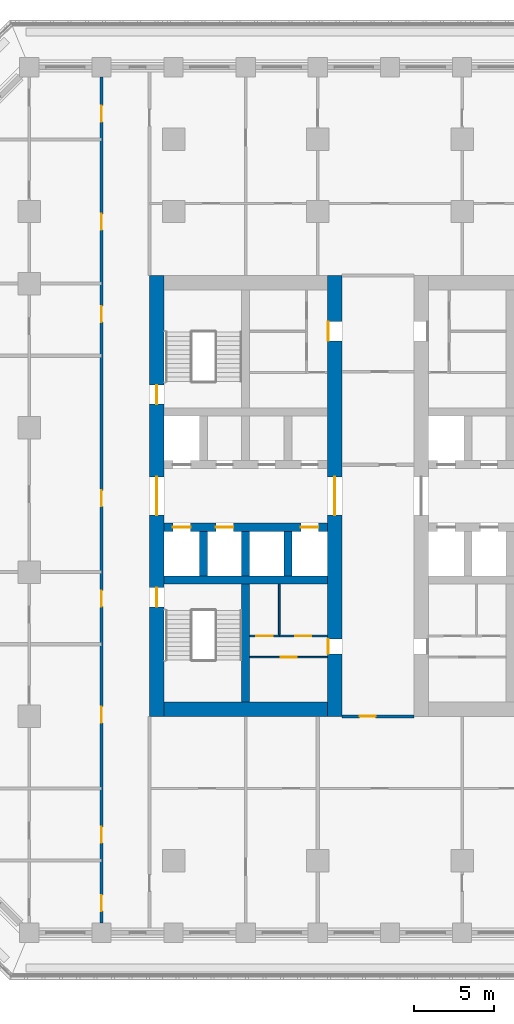
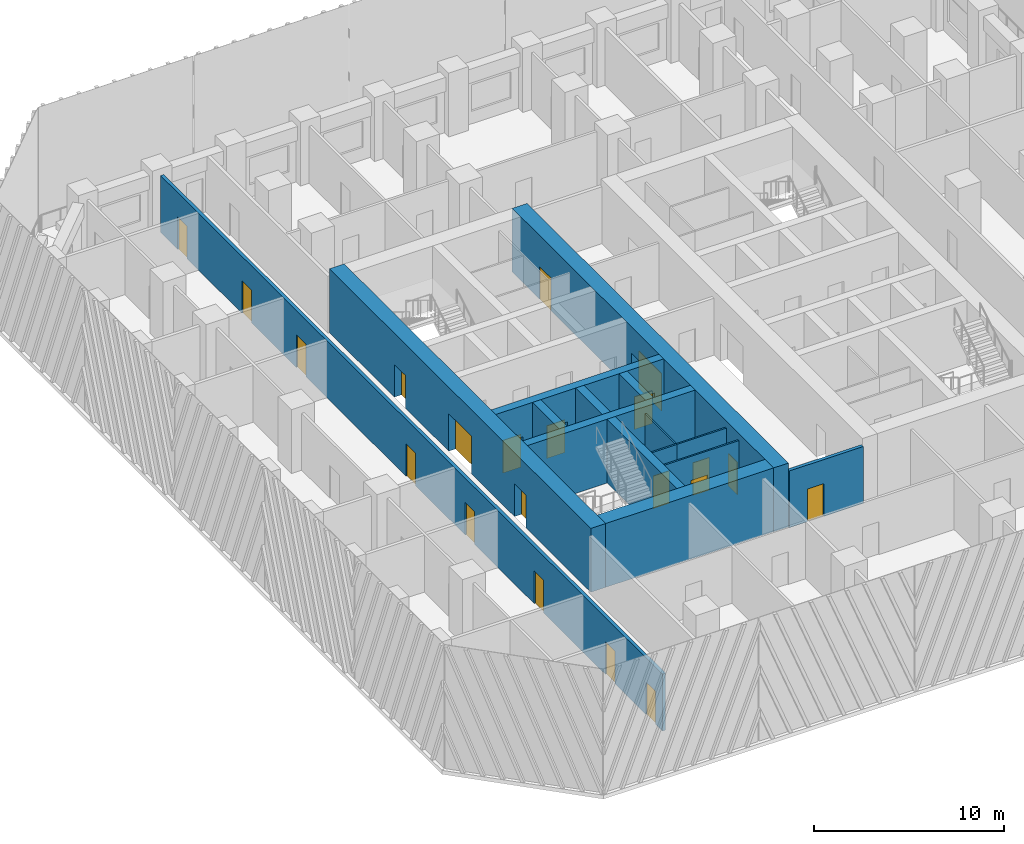
# One storey, part 4 of 20: 21 doors, 15 walls, 21 openings.
"""IFC4 building model written with IfcOpenShell, lengths in metres."""

from ifc_helpers import new_model, si_unit, direction, frame, frame_2d, origin, place, context, subcontext, project, spatial, rectangle, extrude, material, layer, layer_set, type_object, element, fill, save


model = new_model("IFC4")

# Units and contexts
model_context = context("Model", 3, precision=1e-05, world=origin(), true_north=direction((0.0, 1.0)))
body_context = subcontext(model_context, "Body", "Model", "MODEL_VIEW")
ifc_project = project(units=[si_unit("LENGTHUNIT", "METRE"), si_unit("AREAUNIT", "SQUARE_METRE"), si_unit("VOLUMEUNIT", "CUBIC_METRE"), si_unit("PLANEANGLEUNIT", "RADIAN"), si_unit("MASSUNIT", "GRAM", prefix="KILO")], contexts=[model_context])

# Site, building, storey
site_placement = place(None, origin())
site = spatial("IfcSite", under=ifc_project, at=site_placement, CompositionType="ELEMENT")
building_placement = place(site_placement, origin())
building = spatial("IfcBuilding", under=site, at=building_placement, Name="Corbel Stack Research Tower", CompositionType="ELEMENT")
storey_placement = place(building_placement, frame((0.0, 0.0, 98.39990234375)))
storey = spatial("IfcBuildingStorey", under=building, at=storey_placement, Name="L22", CompositionType="ELEMENT", Elevation=98.39990234375)

# Wall
ifc_material_1 = material(Name="Concrete C70/85", Category="concrete")
ifc_layer_1 = layer(ifc_material_1, 0.5)
ifc_layer_set_1 = layer_set([ifc_layer_1], Name="Concrete C70/85")
wall_type_1 = type_object("IfcWallType", Name="CW-500-70", PredefinedType="SHEAR", material=ifc_layer_set_1)
wall_1_placement = place(storey_placement, frame((-9.60009765625, -0.5, 0.0), z_axis=(0.0, 0.0, 1.0), x_axis=(1.0, 0.0, 0.0)))
element("IfcWall", 1, at=wall_1_placement, inside=storey, type_object=wall_type_1, Name="West core wall, south row back L22", PredefinedType="SHEAR", context=body_context, shape_type="SweptSolid", body=[
    extrude(rectangle(XDim=10.2001953125, YDim=0.5, at=frame_2d((5.10009765625, 0.0))), origin(), (0.0, 0.0, 1.0), 4.10009765625),
])

# Wall, openings, doors
wall_2_placement = place(storey_placement, frame((-9.60009765625, 2.800048828125, 0.0), z_axis=(0.0, 0.0, 1.0), x_axis=(1.0, 0.0, 0.0)))
wall_2 = element("IfcWall", 2, at=wall_2_placement, inside=storey, type_object=wall_type_1, Name="West core wall, lobby south L22", PredefinedType="SHEAR", context=body_context, shape_type="SweptSolid", body=[
    extrude(rectangle(XDim=10.2001953125, YDim=0.5, at=frame_2d((5.10009765625, 0.0))), origin(), (0.0, 0.0, 1.0), 4.10009765625),
])
opening_1_placement = place(wall_2_placement, frame((0.5625, 0.0, 0.0)))
opening_1 = element("IfcOpeningElement", 3, at=opening_1_placement, cuts=wall_2, Name="Opening LD-FS1", PredefinedType="OPENING", context=body_context, shape_type="SweptSolid", body=[
    extrude(rectangle(XDim=1.10009765625, YDim=2.10009765625, at=frame_2d((0.550048828125, 1.050048828125))), frame((0.0, 0.260009765625, 0.0), z_axis=(0.0, -1.0, 0.0), x_axis=(1.0, 0.0, 0.0)), (0.0, 0.0, 1.0), 0.52001953125),
])
opening_2_placement = place(wall_2_placement, frame((3.237548828125, 0.0, 0.0)))
opening_2 = element("IfcOpeningElement", 4, at=opening_2_placement, cuts=wall_2, Name="Opening LD-GL1", PredefinedType="OPENING", context=body_context, shape_type="SweptSolid", body=[
    extrude(rectangle(XDim=1.10009765625, YDim=2.10009765625, at=frame_2d((0.550048828125, 1.050048828125))), frame((0.0, 0.260009765625, 0.0), z_axis=(0.0, -1.0, 0.0), x_axis=(1.0, 0.0, 0.0)), (0.0, 0.0, 1.0), 0.52001953125),
])
opening_3_placement = place(wall_2_placement, frame((8.53759765625, 0.0, 0.0)))
opening_3 = element("IfcOpeningElement", 5, at=opening_3_placement, cuts=wall_2, Name="Opening LD-LR1", PredefinedType="OPENING", context=body_context, shape_type="SweptSolid", body=[
    extrude(rectangle(XDim=1.10009765625, YDim=2.10009765625, at=frame_2d((0.550048828125, 1.050048828125))), frame((0.0, 0.260009765625, 0.0), z_axis=(0.0, -1.0, 0.0), x_axis=(1.0, 0.0, 0.0)), (0.0, 0.0, 1.0), 0.52001953125),
])
ifc_material_2 = material(Name="Stainless steel landing door", Category="steel")
door_type_1 = type_object("IfcDoorType", Name="Lift landing door 1100 x 2100", OperationType="DOUBLE_DOOR_SLIDING", PredefinedType="DOOR", material=ifc_material_2)
door_1_placement = place(opening_1_placement, origin())
door_1 = element("IfcDoor", 6, at=door_1_placement, inside=storey, type_object=door_type_1, Name="Landing door FS1", OperationType="DOUBLE_DOOR_SLIDING", OverallHeight=2.10009765625, OverallWidth=1.10009765625, PredefinedType="DOOR", context=body_context, shape_type="SweptSolid", body=[
    extrude(rectangle(XDim=1.10009765625, YDim=2.10009765625, at=frame_2d((0.550048828125, 1.050048828125))), frame((0.0, 0.02490234375, 0.0), z_axis=(0.0, -1.0, 0.0), x_axis=(1.0, 0.0, 0.0)), (0.0, 0.0, 1.0), 0.050048828125),
])
fill(opening_1, door_1)
door_2_placement = place(opening_2_placement, origin())
door_2 = element("IfcDoor", 7, at=door_2_placement, inside=storey, type_object=door_type_1, Name="Landing door GL1", OperationType="DOUBLE_DOOR_SLIDING", OverallHeight=2.10009765625, OverallWidth=1.10009765625, PredefinedType="DOOR", context=body_context, shape_type="SweptSolid", body=[
    extrude(rectangle(XDim=1.10009765625, YDim=2.10009765625, at=frame_2d((0.550048828125, 1.050048828125))), frame((0.0, 0.02490234375, 0.0), z_axis=(0.0, -1.0, 0.0), x_axis=(1.0, 0.0, 0.0)), (0.0, 0.0, 1.0), 0.050048828125),
])
fill(opening_2, door_2)
door_3_placement = place(opening_3_placement, origin())
door_3 = element("IfcDoor", 8, at=door_3_placement, inside=storey, type_object=door_type_1, Name="Landing door LR1", OperationType="DOUBLE_DOOR_SLIDING", OverallHeight=2.10009765625, OverallWidth=1.10009765625, PredefinedType="DOOR", context=body_context, shape_type="SweptSolid", body=[
    extrude(rectangle(XDim=1.10009765625, YDim=2.10009765625, at=frame_2d((0.550048828125, 1.050048828125))), frame((0.0, 0.02490234375, 0.0), z_axis=(0.0, -1.0, 0.0), x_axis=(1.0, 0.0, 0.0)), (0.0, 0.0, 1.0), 0.050048828125),
])
fill(opening_3, door_3)

# Walls
for number, where, z_axis, x_axis, name in (
    (9, (-7.125, -0.25, 0.0), (0.0, 0.0, 1.0), (0.0, 1.0, 0.0), "West core wall, south shaft 1 L22"),
    (10, (-4.5, -0.25, 0.0), (0.0, 0.0, 1.0), (0.0, 1.0, 0.0), "West core wall, south shaft 2 L22"),
    (11, (-1.875, -0.25, 0.0), (0.0, 0.0, 1.0), (0.0, 1.0, 0.0), "West core wall, south shaft 3 L22"),
):
    element("IfcWall", number, at=place(storey_placement, frame(where, z_axis=z_axis, x_axis=x_axis)), inside=storey, type_object=wall_type_1, Name=name, PredefinedType="SHEAR", context=body_context, shape_type="SweptSolid", body=[
        extrude(rectangle(XDim=2.800048828125, YDim=0.5, at=frame_2d((1.39990234375, 0.0))), origin(), (0.0, 0.0, 1.0), 4.10009765625),
    ])
wall_3_placement = place(storey_placement, frame((-4.5, -8.10009765625, 0.0), z_axis=(0.0, 0.0, 1.0), x_axis=(0.0, 1.0, 0.0)))
element("IfcWall", 12, at=wall_3_placement, inside=storey, type_object=wall_type_1, Name="West core wall, south stair and WC L22", PredefinedType="SHEAR", context=body_context, shape_type="SweptSolid", body=[
    extrude(rectangle(XDim=7.35009765625, YDim=0.5, at=frame_2d((3.675048828125, 0.0))), origin(), (0.0, 0.0, 1.0), 4.10009765625),
])

# Wall, openings, doors
ifc_material_3 = material(Name="Concrete C70/85", Category="concrete")
ifc_layer_2 = layer(ifc_material_3, 0.89990234375)
ifc_layer_set_2 = layer_set([ifc_layer_2], Name="Concrete C70/85")
wall_type_2 = type_object("IfcWallType", Name="CW-900-70", PredefinedType="SHEAR", material=ifc_layer_set_2)
wall_4_placement = place(storey_placement, frame((-10.050048828125, -9.0, 0.0), z_axis=(0.0, 0.0, 1.0), x_axis=(0.0, 1.0, 0.0)))
wall_4 = element("IfcWall", 13, at=wall_4_placement, inside=storey, type_object=wall_type_2, Name="West core wall, west face L22", PredefinedType="SHEAR", context=body_context, shape_type="SweptSolid", body=[
    extrude(rectangle(XDim=27.5, YDim=0.89990234375, at=frame_2d((13.75, 0.0))), origin(), (0.0, 0.0, 1.0), 4.10009765625),
])
opening_4_placement = place(wall_4_placement, frame((12.550048828125, 0.0, 0.0)))
opening_4 = element("IfcOpeningElement", 14, at=opening_4_placement, cuts=wall_4, Name="Opening CD-W-W", PredefinedType="OPENING", context=body_context, shape_type="SweptSolid", body=[
    extrude(rectangle(XDim=2.39990234375, YDim=2.39990234375, at=frame_2d((1.199951171875, 1.199951171875))), frame((0.0, 0.4599609375, 0.0), z_axis=(0.0, -1.0, 0.0), x_axis=(1.0, 0.0, 0.0)), (0.0, 0.0, 1.0), 0.919921875),
])
opening_5_placement = place(wall_4_placement, frame((6.824951171875, 0.0, 0.0)))
opening_5 = element("IfcOpeningElement", 15, at=opening_5_placement, cuts=wall_4, Name="Opening SD-ST-W1", PredefinedType="OPENING", context=body_context, shape_type="SweptSolid", body=[
    extrude(rectangle(XDim=1.199951171875, YDim=2.10009765625, at=frame_2d((0.60009765625, 1.050048828125))), frame((0.0, 0.4599609375, 0.0), z_axis=(0.0, -1.0, 0.0), x_axis=(1.0, 0.0, 0.0)), (0.0, 0.0, 1.0), 0.919921875),
])
opening_6_placement = place(wall_4_placement, frame((19.47509765625, 0.0, 0.0)))
opening_6 = element("IfcOpeningElement", 16, at=opening_6_placement, cuts=wall_4, Name="Opening SD-ST-W2", PredefinedType="OPENING", context=body_context, shape_type="SweptSolid", body=[
    extrude(rectangle(XDim=1.199951171875, YDim=2.10009765625, at=frame_2d((0.60009765625, 1.050048828125))), frame((0.0, 0.4599609375, 0.0), z_axis=(0.0, -1.0, 0.0), x_axis=(1.0, 0.0, 0.0)), (0.0, 0.0, 1.0), 0.919921875),
])
ifc_material_4 = material(Name="Painted steel fire door", Category="steel")
door_type_2 = type_object("IfcDoorType", Name="Lobby door pair 2400 x 2400 FD30S", OperationType="DOUBLE_DOOR_DOUBLE_SWING", PredefinedType="DOOR", material=ifc_material_4)
door_4_placement = place(opening_4_placement, origin())
door_4 = element("IfcDoor", 17, at=door_4_placement, inside=storey, type_object=door_type_2, Name="Lift lobby door W core W", OperationType="DOUBLE_DOOR_DOUBLE_SWING", OverallHeight=2.39990234375, OverallWidth=2.39990234375, PredefinedType="DOOR", context=body_context, shape_type="SweptSolid", body=[
    extrude(rectangle(XDim=2.39990234375, YDim=2.39990234375, at=frame_2d((1.199951171875, 1.199951171875))), frame((0.0, 0.02490234375, 0.0), z_axis=(0.0, -1.0, 0.0), x_axis=(1.0, 0.0, 0.0)), (0.0, 0.0, 1.0), 0.050048828125),
])
fill(opening_4, door_4)
ifc_material_5 = material(Name="Painted steel fire door", Category="steel")
door_type_3 = type_object("IfcDoorType", Name="Stair door 1200 x 2100 FD90 left hand", OperationType="SINGLE_SWING_LEFT", PredefinedType="DOOR", material=ifc_material_5)
door_5_placement = place(opening_5_placement, origin())
door_5 = element("IfcDoor", 18, at=door_5_placement, inside=storey, type_object=door_type_3, Name="Stair door ST-W1", OperationType="SINGLE_SWING_LEFT", OverallHeight=2.10009765625, OverallWidth=1.199951171875, PredefinedType="DOOR", context=body_context, shape_type="SweptSolid", body=[
    extrude(rectangle(XDim=1.199951171875, YDim=2.10009765625, at=frame_2d((0.60009765625, 1.050048828125))), frame((0.0, 0.02490234375, 0.0), z_axis=(0.0, -1.0, 0.0), x_axis=(1.0, 0.0, 0.0)), (0.0, 0.0, 1.0), 0.050048828125),
])
fill(opening_5, door_5)
door_6_placement = place(opening_6_placement, origin())
door_6 = element("IfcDoor", 19, at=door_6_placement, inside=storey, type_object=door_type_3, Name="Stair door ST-W2", OperationType="SINGLE_SWING_LEFT", OverallHeight=2.10009765625, OverallWidth=1.199951171875, PredefinedType="DOOR", context=body_context, shape_type="SweptSolid", body=[
    extrude(rectangle(XDim=1.199951171875, YDim=2.10009765625, at=frame_2d((0.60009765625, 1.050048828125))), frame((0.0, 0.02490234375, 0.0), z_axis=(0.0, -1.0, 0.0), x_axis=(1.0, 0.0, 0.0)), (0.0, 0.0, 1.0), 0.050048828125),
])
fill(opening_6, door_6)

wall_5_placement = place(storey_placement, frame((1.050048828125, -9.0, 0.0), z_axis=(0.0, 0.0, 1.0), x_axis=(0.0, 1.0, 0.0)))
wall_5 = element("IfcWall", 20, at=wall_5_placement, inside=storey, type_object=wall_type_2, Name="West core wall, east face L22", PredefinedType="SHEAR", context=body_context, shape_type="SweptSolid", body=[
    extrude(rectangle(XDim=27.5, YDim=0.89990234375, at=frame_2d((13.75, 0.0))), origin(), (0.0, 0.0, 1.0), 4.10009765625),
])
opening_7_placement = place(wall_5_placement, frame((12.550048828125, 0.0, 0.0)))
opening_7 = element("IfcOpeningElement", 21, at=opening_7_placement, cuts=wall_5, Name="Opening CD-W-E", PredefinedType="OPENING", context=body_context, shape_type="SweptSolid", body=[
    extrude(rectangle(XDim=2.39990234375, YDim=2.39990234375, at=frame_2d((1.199951171875, 1.199951171875))), frame((0.0, 0.4599609375, 0.0), z_axis=(0.0, -1.0, 0.0), x_axis=(1.0, 0.0, 0.0)), (0.0, 0.0, 1.0), 0.919921875),
])
opening_8_placement = place(wall_5_placement, frame((3.89306640625, 0.0, 0.0)))
opening_8 = element("IfcOpeningElement", 22, at=opening_8_placement, cuts=wall_5, Name="Opening CR-W24-W1-923", PredefinedType="OPENING", context=body_context, shape_type="SweptSolid", body=[
    extrude(rectangle(XDim=0.923095703125, YDim=2.10009765625, at=frame_2d((0.46142578125, 1.050048828125))), frame((0.0, 0.4599609375, 0.0), z_axis=(0.0, -1.0, 0.0), x_axis=(1.0, 0.0, 0.0)), (0.0, 0.0, 1.0), 0.919921875),
])
opening_9_placement = place(wall_5_placement, frame((23.427490234375, 0.0, 0.0)))
opening_9 = element("IfcOpeningElement", 23, at=opening_9_placement, cuts=wall_5, Name="Opening CR-W24-R2-1200", PredefinedType="OPENING", context=body_context, shape_type="SweptSolid", body=[
    extrude(rectangle(XDim=1.199951171875, YDim=2.10009765625, at=frame_2d((0.60009765625, 1.050048828125))), frame((0.0, 0.4599609375, 0.0), z_axis=(0.0, -1.0, 0.0), x_axis=(1.0, 0.0, 0.0)), (0.0, 0.0, 1.0), 0.919921875),
])
door_7_placement = place(opening_7_placement, origin())
door_7 = element("IfcDoor", 24, at=door_7_placement, inside=storey, type_object=door_type_2, Name="Lift lobby door W core E", OperationType="DOUBLE_DOOR_DOUBLE_SWING", OverallHeight=2.39990234375, OverallWidth=2.39990234375, PredefinedType="DOOR", context=body_context, shape_type="SweptSolid", body=[
    extrude(rectangle(XDim=2.39990234375, YDim=2.39990234375, at=frame_2d((1.199951171875, 1.199951171875))), frame((0.0, 0.02490234375, 0.0), z_axis=(0.0, -1.0, 0.0), x_axis=(1.0, 0.0, 0.0)), (0.0, 0.0, 1.0), 0.050048828125),
])
fill(opening_7, door_7)
ifc_material_6 = material(Name="Painted steel door", Category="steel")
door_type_4 = type_object("IfcDoorType", Name="Service door 1200 x 2100 FD30 right hand", OperationType="SINGLE_SWING_RIGHT", PredefinedType="DOOR", material=ifc_material_6)
door_8_placement = place(opening_9_placement, origin())
door_8 = element("IfcDoor", 25, at=door_8_placement, inside=storey, type_object=door_type_4, Name="Service passage door W core", OperationType="SINGLE_SWING_RIGHT", OverallHeight=2.10009765625, OverallWidth=1.199951171875, PredefinedType="DOOR", context=body_context, shape_type="SweptSolid", body=[
    extrude(rectangle(XDim=1.199951171875, YDim=2.10009765625, at=frame_2d((0.60009765625, 1.050048828125))), frame((0.0, 0.4248046875, 0.0), z_axis=(0.0, -1.0, 0.0), x_axis=(1.0, 0.0, 0.0)), (0.0, 0.0, 1.0), 0.050048828125),
])
fill(opening_9, door_8)
ifc_material_7 = material(Name="Painted timber door", Category="wood")
door_type_5 = type_object("IfcDoorType", Name="WC door 923 x 2100 left hand", OperationType="SINGLE_SWING_LEFT", PredefinedType="DOOR", material=ifc_material_7)
door_9_placement = place(opening_8_placement, origin())
door_9 = element("IfcDoor", 26, at=door_9_placement, inside=storey, type_object=door_type_5, Name="WC lobby door W core", OperationType="SINGLE_SWING_LEFT", OverallHeight=2.10009765625, OverallWidth=0.923095703125, PredefinedType="DOOR", context=body_context, shape_type="SweptSolid", body=[
    extrude(rectangle(XDim=0.923095703125, YDim=2.10009765625, at=frame_2d((0.46142578125, 1.050048828125))), frame((0.0, 0.4248046875, 0.0), z_axis=(0.0, -1.0, 0.0), x_axis=(1.0, 0.0, 0.0)), (0.0, 0.0, 1.0), 0.050048828125),
])
fill(opening_8, door_9)

# Wall
wall_6_placement = place(storey_placement, frame((-9.60009765625, -8.550048828125, 0.0), z_axis=(0.0, 0.0, 1.0), x_axis=(1.0, 0.0, 0.0)))
element("IfcWall", 27, at=wall_6_placement, inside=storey, type_object=wall_type_2, Name="West core wall, south end L22", PredefinedType="SHEAR", context=body_context, shape_type="SweptSolid", body=[
    extrude(rectangle(XDim=10.2001953125, YDim=0.89990234375, at=frame_2d((5.10009765625, 0.0))), origin(), (0.0, 0.0, 1.0), 4.10009765625),
])

# Wall, opening, door
ifc_material_8 = material(Name="Gypsum board")
ifc_layer_3 = layer(ifc_material_8, 0.10009765625)
ifc_layer_set_3 = layer_set([ifc_layer_3], Name="Gypsum board")
wall_type_3 = type_object("IfcWallType", Name="Core partition 100", PredefinedType="PARTITIONING", material=ifc_layer_set_3)
wall_7_placement = place(storey_placement, frame((-4.25, -5.306884765625, 0.0), z_axis=(0.0, 0.0, 1.0), x_axis=(1.0, 0.0, 0.0)))
wall_7 = element("IfcWall", 28, at=wall_7_placement, inside=storey, type_object=wall_type_3, Name="Core partition W", PredefinedType="PARTITIONING", context=body_context, shape_type="SweptSolid", body=[
    extrude(rectangle(XDim=4.85009765625, YDim=0.10009765625, at=frame_2d((2.425048828125, 0.0))), origin(), (0.0, 0.0, 1.0), 3.650146484375),
])
opening_10_placement = place(wall_7_placement, frame((1.925048828125, 0.0, 0.0)))
opening_10 = element("IfcOpeningElement", 29, at=opening_10_placement, cuts=wall_7, Name="Opening CR-W24-W2-1000", PredefinedType="OPENING", context=body_context, shape_type="SweptSolid", body=[
    extrude(rectangle(XDim=1.0, YDim=2.10009765625, at=frame_2d((0.5, 1.050048828125))), frame((0.0, 0.06005859375, 0.0), z_axis=(0.0, -1.0, 0.0), x_axis=(1.0, 0.0, 0.0)), (0.0, 0.0, 1.0), 0.1201171875),
])
ifc_material_9 = material(Name="Painted timber door", Category="wood")
door_type_6 = type_object("IfcDoorType", Name="WC door 1000 x 2100 right hand", OperationType="SINGLE_SWING_RIGHT", PredefinedType="DOOR", material=ifc_material_9)
door_10_placement = place(opening_10_placement, origin())
door_10 = element("IfcDoor", 30, at=door_10_placement, inside=storey, type_object=door_type_6, Name="Men's WC door W core", OperationType="SINGLE_SWING_RIGHT", OverallHeight=2.10009765625, OverallWidth=1.0, PredefinedType="DOOR", context=body_context, shape_type="SweptSolid", body=[
    extrude(rectangle(XDim=1.0, YDim=2.10009765625, at=frame_2d((0.5, 1.050048828125))), frame((0.0, 0.02490234375, 0.0), z_axis=(0.0, -1.0, 0.0), x_axis=(1.0, 0.0, 0.0)), (0.0, 0.0, 1.0), 0.050048828125),
])
fill(opening_10, door_10)

wall_8_placement = place(storey_placement, frame((-2.406982421875, -3.98388671875, 0.0), z_axis=(0.0, 0.0, 1.0), x_axis=(1.0, 0.0, 0.0)))
wall_8 = element("IfcWall", 31, at=wall_8_placement, inside=storey, type_object=wall_type_3, Name="Core partition W", PredefinedType="PARTITIONING", context=body_context, shape_type="SweptSolid", body=[
    extrude(rectangle(XDim=3.007080078125, YDim=0.10009765625, at=frame_2d((1.50341796875, 0.0))), origin(), (0.0, 0.0, 1.0), 3.650146484375),
])
opening_11_placement = place(wall_8_placement, frame((1.00341796875, 0.0, 0.0)))
opening_11 = element("IfcOpeningElement", 32, at=opening_11_placement, cuts=wall_8, Name="Opening CR-W24-W3-1000", PredefinedType="OPENING", context=body_context, shape_type="SweptSolid", body=[
    extrude(rectangle(XDim=1.0, YDim=2.10009765625, at=frame_2d((0.5, 1.050048828125))), frame((0.0, 0.06005859375, 0.0), z_axis=(0.0, -1.0, 0.0), x_axis=(1.0, 0.0, 0.0)), (0.0, 0.0, 1.0), 0.1201171875),
])
ifc_material_10 = material(Name="Painted timber door", Category="wood")
door_type_7 = type_object("IfcDoorType", Name="WC door 1000 x 2100 left hand", OperationType="SINGLE_SWING_LEFT", PredefinedType="DOOR", material=ifc_material_10)
door_11_placement = place(opening_11_placement, origin())
door_11 = element("IfcDoor", 33, at=door_11_placement, inside=storey, type_object=door_type_7, Name="Women's WC door W core", OperationType="SINGLE_SWING_LEFT", OverallHeight=2.10009765625, OverallWidth=1.0, PredefinedType="DOOR", context=body_context, shape_type="SweptSolid", body=[
    extrude(rectangle(XDim=1.0, YDim=2.10009765625, at=frame_2d((0.5, 1.050048828125))), frame((0.0, 0.02490234375, 0.0), z_axis=(0.0, -1.0, 0.0), x_axis=(1.0, 0.0, 0.0)), (0.0, 0.0, 1.0), 0.050048828125),
])
fill(opening_11, door_11)

wall_9_placement = place(storey_placement, frame((-4.25, -3.98388671875, 0.0), z_axis=(0.0, 0.0, 1.0), x_axis=(1.0, 0.0, 0.0)))
wall_9 = element("IfcWall", 34, at=wall_9_placement, inside=storey, type_object=wall_type_3, Name="Core partition W", PredefinedType="PARTITIONING", context=body_context, shape_type="SweptSolid", body=[
    extrude(rectangle(XDim=1.843017578125, YDim=0.10009765625, at=frame_2d((0.92138671875, 0.0))), origin(), (0.0, 0.0, 1.0), 3.650146484375),
])
opening_12_placement = place(wall_9_placement, frame((0.42138671875, 0.0, 0.0)))
opening_12 = element("IfcOpeningElement", 35, at=opening_12_placement, cuts=wall_9, Name="Opening CR-W24-W4-1000", PredefinedType="OPENING", context=body_context, shape_type="SweptSolid", body=[
    extrude(rectangle(XDim=1.0, YDim=2.10009765625, at=frame_2d((0.5, 1.050048828125))), frame((0.0, 0.06005859375, 0.0), z_axis=(0.0, -1.0, 0.0), x_axis=(1.0, 0.0, 0.0)), (0.0, 0.0, 1.0), 0.1201171875),
])
door_12_placement = place(opening_12_placement, origin())
door_12 = element("IfcDoor", 36, at=door_12_placement, inside=storey, type_object=door_type_6, Name="Accessible WC door W core", OperationType="SINGLE_SWING_RIGHT", OverallHeight=2.10009765625, OverallWidth=1.0, PredefinedType="DOOR", context=body_context, shape_type="SweptSolid", body=[
    extrude(rectangle(XDim=1.0, YDim=2.10009765625, at=frame_2d((0.5, 1.050048828125))), frame((0.0, 0.02490234375, 0.0), z_axis=(0.0, -1.0, 0.0), x_axis=(1.0, 0.0, 0.0)), (0.0, 0.0, 1.0), 0.050048828125),
])
fill(opening_12, door_12)

# Wall
wall_10_placement = place(storey_placement, frame((-2.406982421875, -3.98388671875, 0.0), z_axis=(0.0, 0.0, 1.0), x_axis=(0.0, 1.0, 0.0)))
element("IfcWall", 37, at=wall_10_placement, inside=storey, type_object=wall_type_3, Name="Core partition W", PredefinedType="PARTITIONING", context=body_context, shape_type="SweptSolid", body=[
    extrude(rectangle(XDim=3.23388671875, YDim=0.10009765625, at=frame_2d((1.616943359375, 0.0))), origin(), (0.0, 0.0, 1.0), 3.650146484375),
])

# Wall, openings, doors
ifc_material_11 = material(Name="Fire-rated gypsum board partition on steel studs", Category="steel")
ifc_layer_4 = layer(ifc_material_11, 0.199951171875)
ifc_layer_set_4 = layer_set([ifc_layer_4], Name="Fire-rated gypsum board partition on steel studs")
wall_type_4 = type_object("IfcWallType", Name="Fire-rated partition 200 EI 60", PredefinedType="PARTITIONING", material=ifc_layer_set_4)
wall_11_placement = place(storey_placement, frame((-13.5, -21.89990234375, 0.0), z_axis=(0.0, 0.0, 1.0), x_axis=(0.0, 1.0, 0.0)))
wall_11 = element("IfcWall", 38, at=wall_11_placement, inside=storey, type_object=wall_type_4, Name="Partition L22-007", PredefinedType="PARTITIONING", context=body_context, shape_type="SweptSolid", body=[
    extrude(rectangle(XDim=52.7998046875, YDim=0.199951171875, at=frame_2d((26.39990234375, 0.0))), origin(), (0.0, 0.0, 1.0), 3.650146484375),
])
opening_13_placement = place(wall_11_placement, frame((0.75, 0.0, 0.0)))
opening_13 = element("IfcOpeningElement", 39, at=opening_13_placement, cuts=wall_11, Name="Opening B3V2-009", PredefinedType="OPENING", context=body_context, shape_type="SweptSolid", body=[
    extrude(rectangle(XDim=1.0, YDim=2.10009765625, at=frame_2d((0.5, 1.050048828125))), frame((0.0, 0.10986328125, 0.0), z_axis=(0.0, -1.0, 0.0), x_axis=(1.0, 0.0, 0.0)), (0.0, 0.0, 1.0), 0.219970703125),
])
opening_14_placement = place(wall_11_placement, frame((5.0, 0.0, 0.0)))
opening_14 = element("IfcOpeningElement", 40, at=opening_14_placement, cuts=wall_11, Name="Opening B3V2-010", PredefinedType="OPENING", context=body_context, shape_type="SweptSolid", body=[
    extrude(rectangle(XDim=1.0, YDim=2.10009765625, at=frame_2d((0.5, 1.050048828125))), frame((0.0, 0.10986328125, 0.0), z_axis=(0.0, -1.0, 0.0), x_axis=(1.0, 0.0, 0.0)), (0.0, 0.0, 1.0), 0.219970703125),
])
opening_15_placement = place(wall_11_placement, frame((12.5, 0.0, 0.0)))
opening_15 = element("IfcOpeningElement", 41, at=opening_15_placement, cuts=wall_11, Name="Opening B3V2-011", PredefinedType="OPENING", context=body_context, shape_type="SweptSolid", body=[
    extrude(rectangle(XDim=1.0, YDim=2.10009765625, at=frame_2d((0.5, 1.050048828125))), frame((0.0, 0.10986328125, 0.0), z_axis=(0.0, -1.0, 0.0), x_axis=(1.0, 0.0, 0.0)), (0.0, 0.0, 1.0), 0.219970703125),
])
opening_16_placement = place(wall_11_placement, frame((19.75, 0.0, 0.0)))
opening_16 = element("IfcOpeningElement", 42, at=opening_16_placement, cuts=wall_11, Name="Opening B3V2-013", PredefinedType="OPENING", context=body_context, shape_type="SweptSolid", body=[
    extrude(rectangle(XDim=1.0, YDim=2.10009765625, at=frame_2d((0.5, 1.050048828125))), frame((0.0, 0.10986328125, 0.0), z_axis=(0.0, -1.0, 0.0), x_axis=(1.0, 0.0, 0.0)), (0.0, 0.0, 1.0), 0.219970703125),
])
opening_17_placement = place(wall_11_placement, frame((26.0, 0.0, 0.0)))
opening_17 = element("IfcOpeningElement", 43, at=opening_17_placement, cuts=wall_11, Name="Opening B3V2-016", PredefinedType="OPENING", context=body_context, shape_type="SweptSolid", body=[
    extrude(rectangle(XDim=1.0, YDim=2.10009765625, at=frame_2d((0.5, 1.050048828125))), frame((0.0, 0.10986328125, 0.0), z_axis=(0.0, -1.0, 0.0), x_axis=(1.0, 0.0, 0.0)), (0.0, 0.0, 1.0), 0.219970703125),
])
opening_18_placement = place(wall_11_placement, frame((37.5, 0.0, 0.0)))
opening_18 = element("IfcOpeningElement", 44, at=opening_18_placement, cuts=wall_11, Name="Opening B3V2-019", PredefinedType="OPENING", context=body_context, shape_type="SweptSolid", body=[
    extrude(rectangle(XDim=1.0, YDim=2.10009765625, at=frame_2d((0.5, 1.050048828125))), frame((0.0, 0.10986328125, 0.0), z_axis=(0.0, -1.0, 0.0), x_axis=(1.0, 0.0, 0.0)), (0.0, 0.0, 1.0), 0.219970703125),
])
opening_19_placement = place(wall_11_placement, frame((43.25, 0.0, 0.0)))
opening_19 = element("IfcOpeningElement", 45, at=opening_19_placement, cuts=wall_11, Name="Opening B3V2-020", PredefinedType="OPENING", context=body_context, shape_type="SweptSolid", body=[
    extrude(rectangle(XDim=1.0, YDim=2.10009765625, at=frame_2d((0.5, 1.050048828125))), frame((0.0, 0.10986328125, 0.0), z_axis=(0.0, -1.0, 0.0), x_axis=(1.0, 0.0, 0.0)), (0.0, 0.0, 1.0), 0.219970703125),
])
opening_20_placement = place(wall_11_placement, frame((50.0, 0.0, 0.0)))
opening_20 = element("IfcOpeningElement", 46, at=opening_20_placement, cuts=wall_11, Name="Opening B3V2-021", PredefinedType="OPENING", context=body_context, shape_type="SweptSolid", body=[
    extrude(rectangle(XDim=1.0, YDim=2.10009765625, at=frame_2d((0.5, 1.050048828125))), frame((0.0, 0.10986328125, 0.0), z_axis=(0.0, -1.0, 0.0), x_axis=(1.0, 0.0, 0.0)), (0.0, 0.0, 1.0), 0.219970703125),
])
ifc_material_12 = material(Name="Painted steel fire door", Category="steel")
door_type_8 = type_object("IfcDoorType", Name="Fire door FD30S 1000 x 2100", OperationType="NOTDEFINED", PredefinedType="DOOR", material=ifc_material_12)
door_13_placement = place(opening_13_placement, origin())
door_13 = element("IfcDoor", 47, at=door_13_placement, inside=storey, type_object=door_type_8, Name="Door B3V2-009", OperationType="SINGLE_SWING_LEFT", OverallHeight=2.10009765625, OverallWidth=1.0, PredefinedType="DOOR", context=body_context, shape_type="SweptSolid", body=[
    extrude(rectangle(XDim=1.0, YDim=2.10009765625, at=frame_2d((0.5, 1.050048828125))), frame((0.0, 0.02490234375, 0.0), z_axis=(0.0, -1.0, 0.0), x_axis=(1.0, 0.0, 0.0)), (0.0, 0.0, 1.0), 0.050048828125),
])
fill(opening_13, door_13)
door_14_placement = place(opening_14_placement, origin())
door_14 = element("IfcDoor", 48, at=door_14_placement, inside=storey, type_object=door_type_8, Name="Door B3V2-010", OperationType="SINGLE_SWING_LEFT", OverallHeight=2.10009765625, OverallWidth=1.0, PredefinedType="DOOR", context=body_context, shape_type="SweptSolid", body=[
    extrude(rectangle(XDim=1.0, YDim=2.10009765625, at=frame_2d((0.5, 1.050048828125))), frame((0.0, 0.02490234375, 0.0), z_axis=(0.0, -1.0, 0.0), x_axis=(1.0, 0.0, 0.0)), (0.0, 0.0, 1.0), 0.050048828125),
])
fill(opening_14, door_14)
door_15_placement = place(opening_15_placement, origin())
door_15 = element("IfcDoor", 49, at=door_15_placement, inside=storey, type_object=door_type_8, Name="Door B3V2-011", OperationType="SINGLE_SWING_LEFT", OverallHeight=2.10009765625, OverallWidth=1.0, PredefinedType="DOOR", context=body_context, shape_type="SweptSolid", body=[
    extrude(rectangle(XDim=1.0, YDim=2.10009765625, at=frame_2d((0.5, 1.050048828125))), frame((0.0, 0.02490234375, 0.0), z_axis=(0.0, -1.0, 0.0), x_axis=(1.0, 0.0, 0.0)), (0.0, 0.0, 1.0), 0.050048828125),
])
fill(opening_15, door_15)
door_16_placement = place(opening_16_placement, origin())
door_16 = element("IfcDoor", 50, at=door_16_placement, inside=storey, type_object=door_type_8, Name="Door B3V2-013", OperationType="SINGLE_SWING_LEFT", OverallHeight=2.10009765625, OverallWidth=1.0, PredefinedType="DOOR", context=body_context, shape_type="SweptSolid", body=[
    extrude(rectangle(XDim=1.0, YDim=2.10009765625, at=frame_2d((0.5, 1.050048828125))), frame((0.0, 0.02490234375, 0.0), z_axis=(0.0, -1.0, 0.0), x_axis=(1.0, 0.0, 0.0)), (0.0, 0.0, 1.0), 0.050048828125),
])
fill(opening_16, door_16)
door_17_placement = place(opening_17_placement, origin())
door_17 = element("IfcDoor", 51, at=door_17_placement, inside=storey, type_object=door_type_8, Name="Door B3V2-016", OperationType="SINGLE_SWING_RIGHT", OverallHeight=2.10009765625, OverallWidth=1.0, PredefinedType="DOOR", context=body_context, shape_type="SweptSolid", body=[
    extrude(rectangle(XDim=1.0, YDim=2.10009765625, at=frame_2d((0.5, 1.050048828125))), frame((0.0, 0.02490234375, 0.0), z_axis=(0.0, -1.0, 0.0), x_axis=(1.0, 0.0, 0.0)), (0.0, 0.0, 1.0), 0.050048828125),
])
fill(opening_17, door_17)
door_18_placement = place(opening_18_placement, origin())
door_18 = element("IfcDoor", 52, at=door_18_placement, inside=storey, type_object=door_type_8, Name="Door B3V2-019", OperationType="SINGLE_SWING_RIGHT", OverallHeight=2.10009765625, OverallWidth=1.0, PredefinedType="DOOR", context=body_context, shape_type="SweptSolid", body=[
    extrude(rectangle(XDim=1.0, YDim=2.10009765625, at=frame_2d((0.5, 1.050048828125))), frame((0.0, 0.02490234375, 0.0), z_axis=(0.0, -1.0, 0.0), x_axis=(1.0, 0.0, 0.0)), (0.0, 0.0, 1.0), 0.050048828125),
])
fill(opening_18, door_18)
door_19_placement = place(opening_19_placement, origin())
door_19 = element("IfcDoor", 53, at=door_19_placement, inside=storey, type_object=door_type_8, Name="Door B3V2-020", OperationType="SINGLE_SWING_RIGHT", OverallHeight=2.10009765625, OverallWidth=1.0, PredefinedType="DOOR", context=body_context, shape_type="SweptSolid", body=[
    extrude(rectangle(XDim=1.0, YDim=2.10009765625, at=frame_2d((0.5, 1.050048828125))), frame((0.0, 0.02490234375, 0.0), z_axis=(0.0, -1.0, 0.0), x_axis=(1.0, 0.0, 0.0)), (0.0, 0.0, 1.0), 0.050048828125),
])
fill(opening_19, door_19)
door_20_placement = place(opening_20_placement, origin())
door_20 = element("IfcDoor", 54, at=door_20_placement, inside=storey, type_object=door_type_8, Name="Door B3V2-021", OperationType="SINGLE_SWING_RIGHT", OverallHeight=2.10009765625, OverallWidth=1.0, PredefinedType="DOOR", context=body_context, shape_type="SweptSolid", body=[
    extrude(rectangle(XDim=1.0, YDim=2.10009765625, at=frame_2d((0.5, 1.050048828125))), frame((0.0, 0.02490234375, 0.0), z_axis=(0.0, -1.0, 0.0), x_axis=(1.0, 0.0, 0.0)), (0.0, 0.0, 1.0), 0.050048828125),
])
fill(opening_20, door_20)

# Wall, opening, door
wall_12_placement = place(storey_placement, frame((6.0, -9.0, 0.0), z_axis=(0.0, 0.0, 1.0), x_axis=(-1.0, 0.0, 0.0)))
wall_12 = element("IfcWall", 55, at=wall_12_placement, inside=storey, type_object=wall_type_4, Name="Partition L22-037", PredefinedType="PARTITIONING", context=body_context, shape_type="SweptSolid", body=[
    extrude(rectangle(XDim=4.5, YDim=0.199951171875, at=frame_2d((2.25, 0.0))), origin(), (0.0, 0.0, 1.0), 3.650146484375),
])
opening_21_placement = place(wall_12_placement, frame((2.39990234375, 0.0, 0.0)))
opening_21 = element("IfcOpeningElement", 56, at=opening_21_placement, cuts=wall_12, Name="Opening B3V2-024", PredefinedType="OPENING", context=body_context, shape_type="SweptSolid", body=[
    extrude(rectangle(XDim=1.0, YDim=2.10009765625, at=frame_2d((0.5, 1.050048828125))), frame((0.0, 0.10986328125, 0.0), z_axis=(0.0, -1.0, 0.0), x_axis=(1.0, 0.0, 0.0)), (0.0, 0.0, 1.0), 0.219970703125),
])
door_21_placement = place(opening_21_placement, origin())
door_21 = element("IfcDoor", 57, at=door_21_placement, inside=storey, type_object=door_type_8, Name="Door B3V2-024", OperationType="SINGLE_SWING_RIGHT", OverallHeight=2.10009765625, OverallWidth=1.0, PredefinedType="DOOR", context=body_context, shape_type="SweptSolid", body=[
    extrude(rectangle(XDim=1.0, YDim=2.10009765625, at=frame_2d((0.5, 1.050048828125))), frame((0.0, 0.02490234375, 0.0), z_axis=(0.0, -1.0, 0.0), x_axis=(1.0, 0.0, 0.0)), (0.0, 0.0, 1.0), 0.050048828125),
])
fill(opening_21, door_21)

save(model, "model.ifc")
